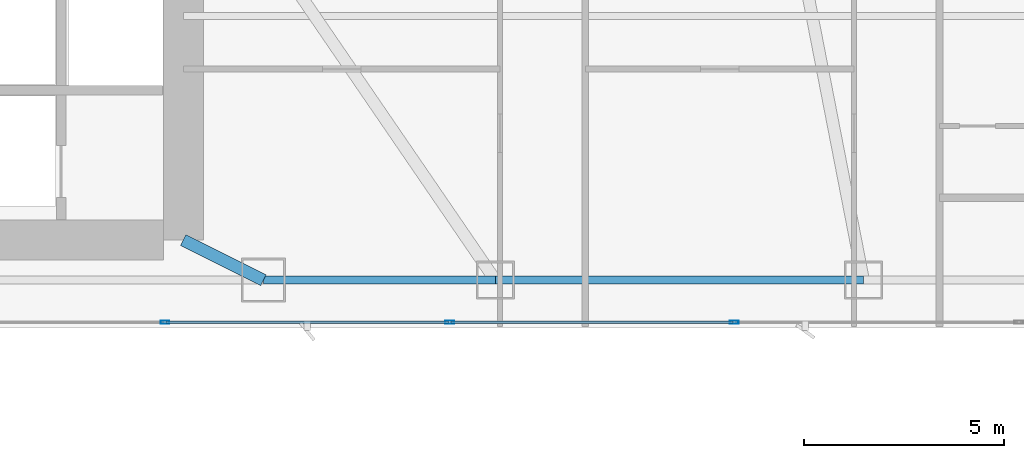
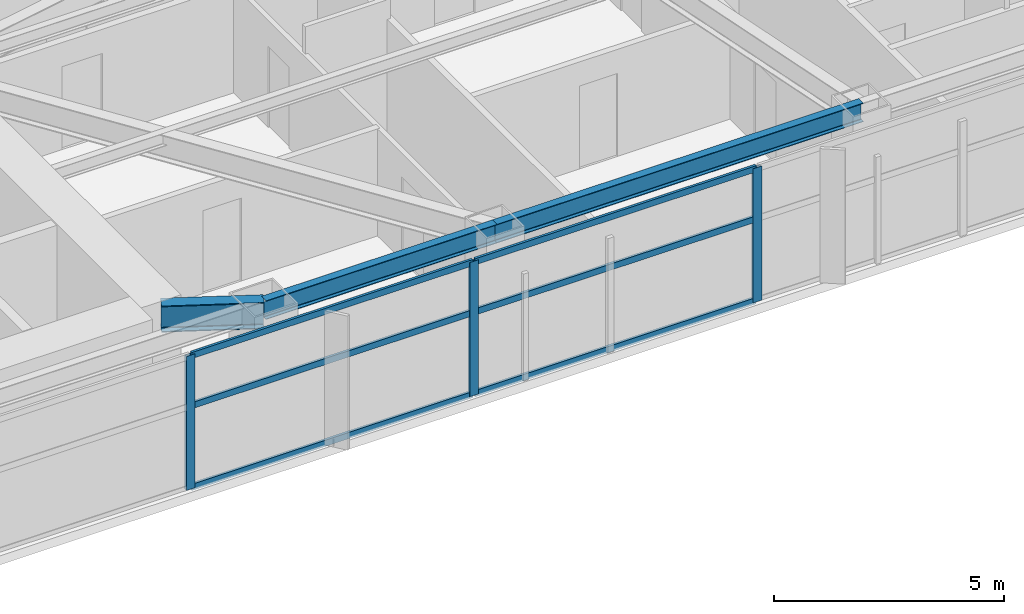
# One storey, part 12 of 29: 9 members, 3 beams, 1 element without a shape of its own.
"""IFC4 building model written with IfcOpenShell, lengths in metres."""

from ifc_helpers import new_model, si_unit, direction, frame, origin, origin_2d, place, context, subcontext, project, spatial, hollow_rectangle, i_section, extrude, material, layer, layer_set, material_profile, profile_set, type_object, element, aggregate, save


model = new_model("IFC4")

# Units and contexts
model_context = context("Model", 3, precision=1e-05, world=origin(), true_north=direction((0.0, 1.0)))
body_context = subcontext(model_context, "Body", "Model", "MODEL_VIEW")
ifc_project = project(units=[si_unit("LENGTHUNIT", "METRE"), si_unit("AREAUNIT", "SQUARE_METRE"), si_unit("VOLUMEUNIT", "CUBIC_METRE"), si_unit("PLANEANGLEUNIT", "RADIAN"), si_unit("MASSUNIT", "GRAM", prefix="KILO")], contexts=[model_context])

# Site, building, storey
site_placement = place(None, origin())
site = spatial("IfcSite", under=ifc_project, at=site_placement, CompositionType="ELEMENT")
building_placement = place(site_placement, origin())
building = spatial("IfcBuilding", under=site, at=building_placement, Name="Calvorn Quay Hotel", CompositionType="ELEMENT")
storey_placement = place(building_placement, frame((0.0, 0.0, 66.0)))
storey = spatial("IfcBuildingStorey", under=building, at=storey_placement, Name="L15", CompositionType="ELEMENT", Elevation=66.0)

# Beams
ifc_material_1 = material(Name="Steel Q390GJC", Category="steel")
ifc_material_profile_1 = material_profile(ifc_material_1, i_section(OverallWidth=0.300048828125, OverallDepth=0.699951171875, WebThickness=0.012939453125, FlangeThickness=0.02392578125, FilletRadius=0.02392578125, at=origin_2d()), Name="HN700x300x13x24")
ifc_profile_set_1 = profile_set([ifc_material_profile_1], Name="Steel Q390GJC")
beam_type_1 = type_object("IfcBeamType", Name="BM-GIRD-MAIN", PredefinedType="BEAM", material=ifc_profile_set_1)
beam_1_placement = place(storey_placement, frame((34.39990234375, 3.60009765625, 3.18994140625), z_axis=(-0.894427191, 0.4472135955, 0.0), x_axis=(-0.4472135955, -0.894427191, 0.0)))
element("IfcBeam", 1, at=beam_1_placement, inside=storey, type_object=beam_type_1, Name="Beam BG-L15-S3", PredefinedType="BEAM", context=body_context, shape_type="SweptSolid", body=[
    extrude(i_section(OverallWidth=0.300048828125, OverallDepth=0.699951171875, WebThickness=0.012939453125, FlangeThickness=0.02392578125, FilletRadius=0.02392578125, at=origin_2d()), origin(), (0.0, 0.0, 1.0), 2.236083984375),
])
ifc_material_2 = material(Name="Steel Q355B", Category="steel")
ifc_material_profile_2 = material_profile(ifc_material_2, i_section(OverallWidth=0.199951171875, OverallDepth=0.5, WebThickness=0.010009765625, FlangeThickness=0.01611328125, FilletRadius=0.01611328125, at=origin_2d()), Name="HN500x200x10x16")
ifc_profile_set_2 = profile_set([ifc_material_profile_2], Name="Steel Q355B")
beam_type_2 = type_object("IfcBeamType", Name="BM-SPANDREL-Z1", PredefinedType="SPANDREL", material=ifc_profile_set_2)
beam_2_placement = place(storey_placement, frame((34.39990234375, 3.60009765625, 3.2900390625), z_axis=(1.0, 0.0, 0.0), x_axis=(0.0, 1.0, 0.0)))
element("IfcBeam", 2, at=beam_2_placement, inside=storey, type_object=beam_type_2, Name="Beam BSP-L15-S4", PredefinedType="SPANDREL", context=body_context, shape_type="SweptSolid", body=[
    extrude(i_section(OverallWidth=0.199951171875, OverallDepth=0.5, WebThickness=0.010009765625, FlangeThickness=0.01611328125, FilletRadius=0.01611328125, at=origin_2d()), origin(), (0.0, 0.0, 1.0), 5.800048828125),
])
beam_3_placement = place(storey_placement, frame((40.199951171875, 3.60009765625, 3.2900390625), z_axis=(1.0, 0.0, 0.0), x_axis=(0.0, 1.0, 0.0)))
element("IfcBeam", 3, at=beam_3_placement, inside=storey, type_object=beam_type_2, Name="Beam BSP-L15-S5", PredefinedType="SPANDREL", context=body_context, shape_type="SweptSolid", body=[
    extrude(i_section(OverallWidth=0.199951171875, OverallDepth=0.5, WebThickness=0.010009765625, FlangeThickness=0.01611328125, FilletRadius=0.01611328125, at=origin_2d()), origin(), (0.0, 0.0, 1.0), 9.199951171875),
])

# Curtain wall, members
ifc_material_3 = material(Name="Pale Anodised Aluminium and Low-E Glass", Category="aluminium")
ifc_layer = layer(ifc_material_3, 0.219970703125)
ifc_layer_set = layer_set([ifc_layer], Name="CW-SYS-Z1")
curtain_wall_type = type_object("IfcCurtainWallType", Name="CW-SYS-Z1", PredefinedType="NOTDEFINED", material=ifc_layer_set)
curtain_wall_placement = place(storey_placement, origin())
curtain_wall = element("IfcCurtainWall", 4, at=curtain_wall_placement, inside=storey, type_object=curtain_wall_type, Name="Tower South Waterfront Curtain Wall (L15)", PredefinedType="NOTDEFINED")
ifc_material_4 = material(Name="Pale Anodised Aluminium 6063-T6", Category="aluminium")
ifc_material_profile_3 = material_profile(ifc_material_4, hollow_rectangle(XDim=0.074951171875, YDim=0.219970703125, WallThickness=0.00439453125, at=origin_2d()), Name="ALU-M220x75x4.5")
ifc_profile_set_3 = profile_set([ifc_material_profile_3], Name="Pale Anodised Aluminium 6063-T6")
member_type_1 = type_object("IfcMemberType", Name="CW-SYS-Z1-MUL", PredefinedType="MULLION", material=ifc_profile_set_3)
member_1_placement = place(storey_placement, frame((31.94287109375, 2.550048828125, 0.0), z_axis=(0.0, 0.0, 1.0), x_axis=(0.0, 1.0, 0.0)))
member_1 = element("IfcMember", 5, at=member_1_placement, type_object=member_type_1, Name="CW-L15-S mullion 4", PredefinedType="MULLION", context=body_context, shape_type="SweptSolid", body=[
    extrude(hollow_rectangle(XDim=0.074951171875, YDim=0.219970703125, WallThickness=0.00439453125, at=origin_2d()), origin(), (0.0, 0.0, 1.0), 3.56005859375),
])
member_2_placement = place(storey_placement, frame((39.05712890625, 2.550048828125, 0.0), z_axis=(0.0, 0.0, 1.0), x_axis=(0.0, 1.0, 0.0)))
member_2 = element("IfcMember", 6, at=member_2_placement, type_object=member_type_1, Name="CW-L15-S mullion 5", PredefinedType="MULLION", context=body_context, shape_type="SweptSolid", body=[
    extrude(hollow_rectangle(XDim=0.074951171875, YDim=0.219970703125, WallThickness=0.00439453125, at=origin_2d()), origin(), (0.0, 0.0, 1.0), 3.56005859375),
])
member_3_placement = place(storey_placement, frame((46.17138671875, 2.550048828125, 0.0), z_axis=(0.0, 0.0, 1.0), x_axis=(0.0, 1.0, 0.0)))
member_3 = element("IfcMember", 7, at=member_3_placement, type_object=member_type_1, Name="CW-L15-S mullion 6", PredefinedType="MULLION", context=body_context, shape_type="SweptSolid", body=[
    extrude(hollow_rectangle(XDim=0.074951171875, YDim=0.219970703125, WallThickness=0.00439453125, at=origin_2d()), origin(), (0.0, 0.0, 1.0), 3.56005859375),
])
ifc_material_5 = material(Name="Pale Anodised Aluminium 6063-T6", Category="aluminium")
ifc_material_profile_4 = material_profile(ifc_material_5, hollow_rectangle(XDim=0.06494140625, YDim=0.1650390625, WallThickness=0.00341796875, at=origin_2d()), Name="ALU-T165x65x3.5")
ifc_profile_set_4 = profile_set([ifc_material_profile_4], Name="Pale Anodised Aluminium 6063-T6")
member_type_2 = type_object("IfcMemberType", Name="CW-SYS-Z1-TRN", PredefinedType="USERDEFINED", material=ifc_profile_set_4)
member_4_placement = place(storey_placement, frame((31.972900390625, 2.550048828125, 0.030029296875), z_axis=(1.0, 0.0, 0.0), x_axis=(0.0, 1.0, 0.0)))
member_4 = element("IfcMember", 8, at=member_4_placement, type_object=member_type_2, Name="CW-L15-S transom 4.1", ObjectType="TRANSOM", PredefinedType="USERDEFINED", context=body_context, shape_type="SweptSolid", body=[
    extrude(hollow_rectangle(XDim=0.06494140625, YDim=0.1650390625, WallThickness=0.00341796875, at=origin_2d()), origin(), (0.0, 0.0, 1.0), 7.05419921875),
])
member_5_placement = place(storey_placement, frame((31.972900390625, 2.550048828125, 2.199951171875), z_axis=(1.0, 0.0, 0.0), x_axis=(0.0, 1.0, 0.0)))
member_5 = element("IfcMember", 9, at=member_5_placement, type_object=member_type_2, Name="CW-L15-S transom 4.2", ObjectType="TRANSOM", PredefinedType="USERDEFINED", context=body_context, shape_type="SweptSolid", body=[
    extrude(hollow_rectangle(XDim=0.06494140625, YDim=0.1650390625, WallThickness=0.00341796875, at=origin_2d()), origin(), (0.0, 0.0, 1.0), 7.05419921875),
])
member_6_placement = place(storey_placement, frame((31.972900390625, 2.550048828125, 3.530029296875), z_axis=(1.0, 0.0, 0.0), x_axis=(0.0, 1.0, 0.0)))
member_6 = element("IfcMember", 10, at=member_6_placement, type_object=member_type_2, Name="CW-L15-S transom 4.3", ObjectType="TRANSOM", PredefinedType="USERDEFINED", context=body_context, shape_type="SweptSolid", body=[
    extrude(hollow_rectangle(XDim=0.06494140625, YDim=0.1650390625, WallThickness=0.00341796875, at=origin_2d()), origin(), (0.0, 0.0, 1.0), 7.05419921875),
])
member_7_placement = place(storey_placement, frame((39.087158203125, 2.550048828125, 0.030029296875), z_axis=(1.0, 0.0, 0.0), x_axis=(0.0, 1.0, 0.0)))
member_7 = element("IfcMember", 11, at=member_7_placement, type_object=member_type_2, Name="CW-L15-S transom 5.1", ObjectType="TRANSOM", PredefinedType="USERDEFINED", context=body_context, shape_type="SweptSolid", body=[
    extrude(hollow_rectangle(XDim=0.06494140625, YDim=0.1650390625, WallThickness=0.00341796875, at=origin_2d()), origin(), (0.0, 0.0, 1.0), 7.05419921875),
])
member_8_placement = place(storey_placement, frame((39.087158203125, 2.550048828125, 2.199951171875), z_axis=(1.0, 0.0, 0.0), x_axis=(0.0, 1.0, 0.0)))
member_8 = element("IfcMember", 12, at=member_8_placement, type_object=member_type_2, Name="CW-L15-S transom 5.2", ObjectType="TRANSOM", PredefinedType="USERDEFINED", context=body_context, shape_type="SweptSolid", body=[
    extrude(hollow_rectangle(XDim=0.06494140625, YDim=0.1650390625, WallThickness=0.00341796875, at=origin_2d()), origin(), (0.0, 0.0, 1.0), 7.05419921875),
])
member_9_placement = place(storey_placement, frame((39.087158203125, 2.550048828125, 3.530029296875), z_axis=(1.0, 0.0, 0.0), x_axis=(0.0, 1.0, 0.0)))
member_9 = element("IfcMember", 13, at=member_9_placement, type_object=member_type_2, Name="CW-L15-S transom 5.3", ObjectType="TRANSOM", PredefinedType="USERDEFINED", context=body_context, shape_type="SweptSolid", body=[
    extrude(hollow_rectangle(XDim=0.06494140625, YDim=0.1650390625, WallThickness=0.00341796875, at=origin_2d()), origin(), (0.0, 0.0, 1.0), 7.05419921875),
])
aggregate(curtain_wall, [member_1, member_2, member_3, member_4, member_5, member_6, member_7, member_8, member_9])

save(model, "model.ifc")
